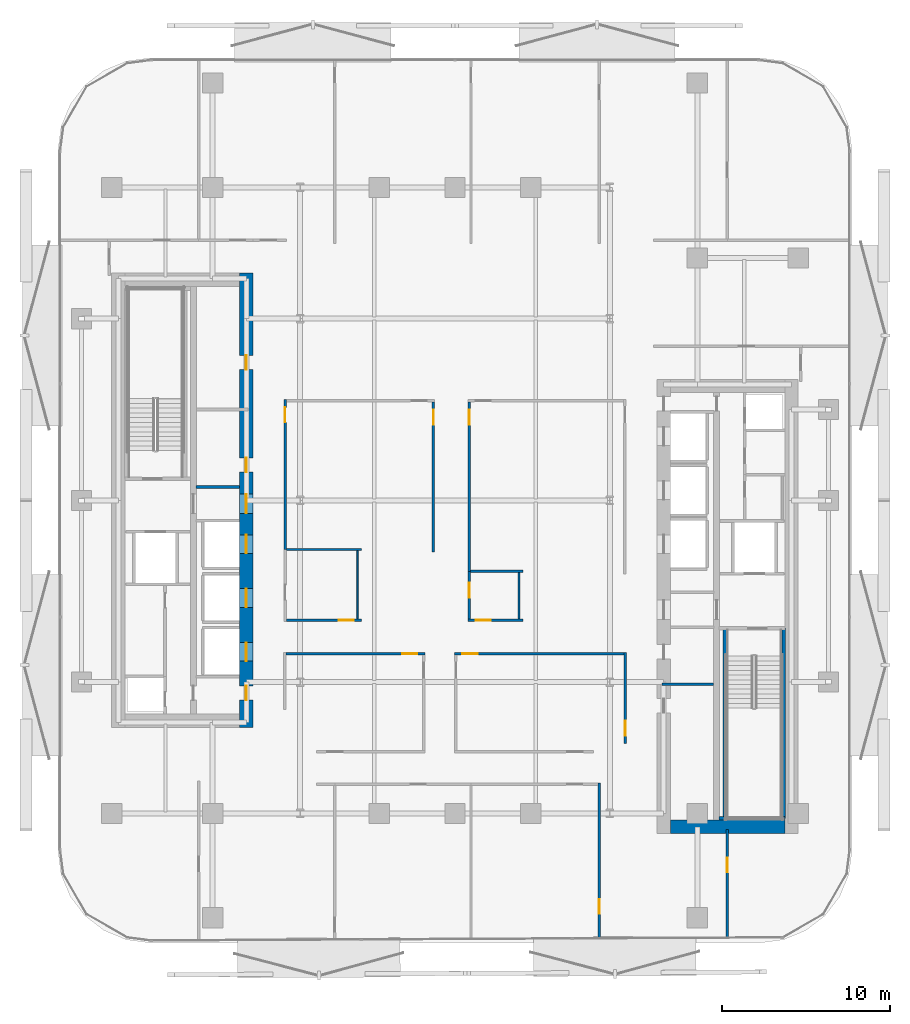
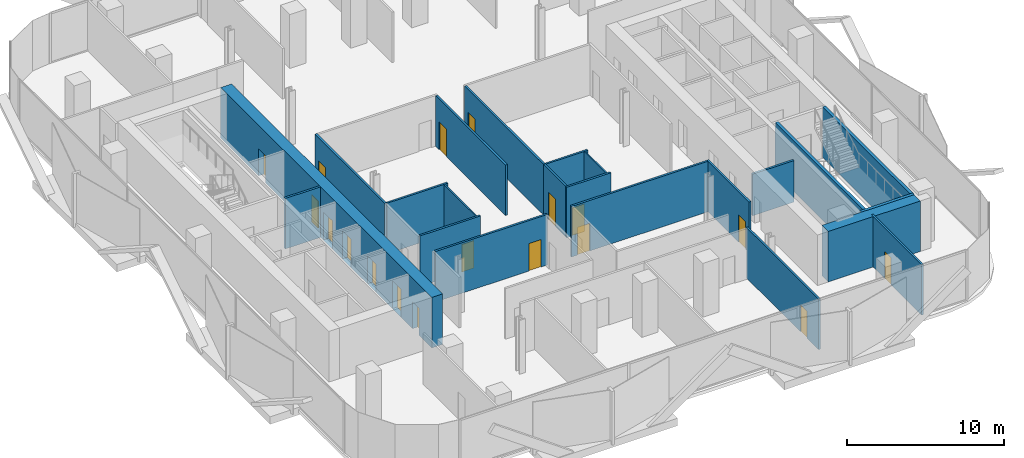
# One storey, part 4 of 16: 22 walls, 18 doors, 18 openings.
"""IFC4 building model written with IfcOpenShell, lengths in metres."""

from ifc_helpers import new_model, si_unit, direction, frame, frame_2d, origin, place, context, subcontext, project, spatial, rectangle, extrude, material, layer, layer_set, type_object, element, fill, save


model = new_model("IFC4")

# Units and contexts
model_context = context("Model", 3, precision=1e-05, world=origin(), true_north=direction((0.0, 1.0)))
body_context = subcontext(model_context, "Body", "Model", "MODEL_VIEW")
ifc_project = project(units=[si_unit("LENGTHUNIT", "METRE"), si_unit("AREAUNIT", "SQUARE_METRE"), si_unit("VOLUMEUNIT", "CUBIC_METRE"), si_unit("PLANEANGLEUNIT", "RADIAN"), si_unit("MASSUNIT", "GRAM", prefix="KILO")], contexts=[model_context])

# Site, building, storey
site_placement = place(None, origin())
site = spatial("IfcSite", under=ifc_project, at=site_placement, CompositionType="ELEMENT")
building_placement = place(site_placement, origin())
building = spatial("IfcBuilding", under=site, at=building_placement, Name="Khairoan Windgate Tower", CompositionType="ELEMENT")
storey_placement = place(building_placement, frame((0.0, 0.0, 139.39990234375)))
storey = spatial("IfcBuildingStorey", under=building, at=storey_placement, Name="L32", CompositionType="ELEMENT", Elevation=139.39990234375)

# Walls
ifc_material_1 = material(Name="Moisture-Resistant Gypsum Partition", Category="gypsum")
ifc_layer_1 = layer(ifc_material_1, 0.10009765625, Name="Moisture-Resistant Gypsum Partition")
ifc_layer_set_1 = layer_set([ifc_layer_1], Name="Moisture-Resistant Gypsum Partition")
wall_type_1 = type_object("IfcWallType", Name="Bathroom Wet-Area Partition Wall", PredefinedType="PARTITIONING", material=ifc_layer_set_1)
wall_1_placement = place(storey_placement, frame((3.800048828125, -4.2900390625, 0.0), z_axis=(0.0, 0.0, 1.0), x_axis=(0.0, -1.0, 0.0)))
element("IfcWall", 1, at=wall_1_placement, inside=storey, type_object=wall_type_1, Name="L32 Wet Room Side Wall 055", PredefinedType="PARTITIONING", context=body_context, shape_type="SweptSolid", body=[
    extrude(rectangle(XDim=2.7548828125, YDim=0.10009765625, at=frame_2d((1.37744140625, 0.0))), origin(), (0.0, 0.0, 1.0), 3.940185546875),
])
wall_2_placement = place(storey_placement, frame((-5.800048828125, -2.989990234375, 0.0), z_axis=(0.0, 0.0, 1.0), x_axis=(0.0, -1.0, 0.0)))
element("IfcWall", 2, at=wall_2_placement, inside=storey, type_object=wall_type_1, Name="L32 Wet Room Side Wall 056", PredefinedType="PARTITIONING", context=body_context, shape_type="SweptSolid", body=[
    extrude(rectangle(XDim=4.054931640625, YDim=0.10009765625, at=frame_2d((2.02734375, 0.0))), origin(), (0.0, 0.0, 1.0), 3.940185546875),
])
ifc_material_2 = material(Name="Concrete C40/50", Category="concrete")
ifc_layer_2 = layer(ifc_material_2, 0.159912109375, Name="Concrete C40/50")
ifc_layer_set_2 = layer_set([ifc_layer_2], Name="Concrete C40/50")
wall_type_2 = type_object("IfcWallType", Name="Core and Hoistway Enclosure Wall", PredefinedType="STANDARD", material=ifc_layer_set_2)
wall_3_placement = place(storey_placement, frame((-15.39990234375, 0.800048828125, 0.0), z_axis=(0.0, 0.0, 1.0), x_axis=(1.0, 0.0, 0.0)))
element("IfcWall", 3, at=wall_3_placement, inside=storey, type_object=wall_type_2, Name="L32 Core Shaft Wall SW-WV1-L32", PredefinedType="STANDARD", context=body_context, shape_type="SweptSolid", body=[
    extrude(rectangle(XDim=2.599853515625, YDim=0.159912109375, at=frame_2d((1.2998046875, 0.0))), origin(), (0.0, 0.0, 1.0), 3.940185546875),
])

# Wall, opening, door
ifc_material_3 = material(Name="Acoustic Fire-Rated Gypsum Partition", Category="gypsum")
ifc_layer_3 = layer(ifc_material_3, 0.139892578125, Name="Acoustic Fire-Rated Gypsum Partition")
ifc_layer_set_3 = layer_set([ifc_layer_3], Name="Acoustic Fire-Rated Gypsum Partition")
wall_type_3 = type_object("IfcWallType", Name="Inter-Tenancy Compartment Wall", PredefinedType="PARTITIONING", material=ifc_layer_set_3)
wall_4_placement = place(storey_placement, frame((8.568115234375, -26.024658203125, 0.0), z_axis=(0.0, 0.0, 1.0), x_axis=(0.0, 1.0, 0.0)))
wall_4 = element("IfcWall", 4, at=wall_4_placement, inside=storey, type_object=wall_type_3, Name="L32 Interior Partition 050", PredefinedType="PARTITIONING", context=body_context, shape_type="SweptSolid", body=[
    extrude(rectangle(XDim=9.23974609375, YDim=0.139892578125, at=frame_2d((4.619873046875, 0.0))), origin(), (0.0, 0.0, 1.0), 3.940185546875),
])
opening_1_placement = place(wall_4_placement, frame((1.469482421875, 0.0, 0.0)))
opening_1 = element("IfcOpeningElement", 5, at=opening_1_placement, cuts=wall_4, Name="Opening FD-SRV", PredefinedType="OPENING", context=body_context, shape_type="SweptSolid", body=[
    extrude(rectangle(XDim=0.85009765625, YDim=2.10009765625, at=frame_2d((0.425048828125, 1.050048828125))), frame((0.0, 0.079833984375, 0.0), z_axis=(0.0, -1.0, 0.0), x_axis=(1.0, 0.0, 0.0)), (0.0, 0.0, 1.0), 0.159912109375),
])
ifc_material_4 = material(Name="Steel S355", Category="steel")
door_type_1 = type_object("IfcDoorType", Name="Core Service and Riser Fire Door FD-SRV 850x2100", OperationType="NOTDEFINED", PredefinedType="DOOR", material=ifc_material_4)
door_1_placement = place(opening_1_placement, origin())
door_1 = element("IfcDoor", 6, at=door_1_placement, inside=storey, type_object=door_type_1, Name="L32 L32-49-L32-50 Door", OperationType="SINGLE_SWING_LEFT", OverallHeight=2.10009765625, OverallWidth=0.85009765625, PredefinedType="DOOR", context=body_context, shape_type="SweptSolid", body=[
    extrude(rectangle(XDim=0.85009765625, YDim=2.10009765625, at=frame_2d((0.425048828125, 1.050048828125))), frame((0.0, 0.02490234375, 0.0), z_axis=(0.0, -1.0, 0.0), x_axis=(1.0, 0.0, 0.0)), (0.0, 0.0, 1.0), 0.050048828125),
])
fill(opening_1, door_1)

wall_5_placement = place(storey_placement, frame((16.18408203125, -25.9873046875, 0.0), z_axis=(0.0, 0.0, 1.0), x_axis=(0.0, 1.0, 0.0)))
wall_5 = element("IfcWall", 7, at=wall_5_placement, inside=storey, type_object=wall_type_3, Name="L32 Interior Partition 051", PredefinedType="PARTITIONING", context=body_context, shape_type="SweptSolid", body=[
    extrude(rectangle(XDim=6.42724609375, YDim=0.139892578125, at=frame_2d((3.213623046875, 0.0))), origin(), (0.0, 0.0, 1.0), 3.940185546875),
])
opening_2_placement = place(wall_5_placement, frame((3.90234375, 0.0, 0.0)))
opening_2 = element("IfcOpeningElement", 8, at=opening_2_placement, cuts=wall_5, Name="Opening FD-SRV", PredefinedType="OPENING", context=body_context, shape_type="SweptSolid", body=[
    extrude(rectangle(XDim=0.85009765625, YDim=2.10009765625, at=frame_2d((0.425048828125, 1.050048828125))), frame((0.0, 0.079833984375, 0.0), z_axis=(0.0, -1.0, 0.0), x_axis=(1.0, 0.0, 0.0)), (0.0, 0.0, 1.0), 0.159912109375),
])
door_2_placement = place(opening_2_placement, origin())
door_2 = element("IfcDoor", 9, at=door_2_placement, inside=storey, type_object=door_type_1, Name="L32 L32-50-L32-51 Door", OperationType="SINGLE_SWING_LEFT", OverallHeight=2.10009765625, OverallWidth=0.85009765625, PredefinedType="DOOR", context=body_context, shape_type="SweptSolid", body=[
    extrude(rectangle(XDim=0.85009765625, YDim=2.10009765625, at=frame_2d((0.425048828125, 1.050048828125))), frame((0.0, 0.02490234375, 0.0), z_axis=(0.0, -1.0, 0.0), x_axis=(1.0, 0.0, 0.0)), (0.0, 0.0, 1.0), 0.050048828125),
])
fill(opening_2, door_2)

# Walls
wall_6_placement = place(storey_placement, frame((0.929931640625, -4.219970703125, 0.0), z_axis=(0.0, 0.0, 1.0), x_axis=(1.0, 0.0, 0.0)))
element("IfcWall", 10, at=wall_6_placement, inside=storey, type_object=wall_type_3, Name="L32 Interior Partition 052", PredefinedType="PARTITIONING", context=body_context, shape_type="SweptSolid", body=[
    extrude(rectangle(XDim=3.110107421875, YDim=0.139892578125, at=frame_2d((1.55517578125, 0.0))), origin(), (0.0, 0.0, 1.0), 3.940185546875),
])
wall_7_placement = place(storey_placement, frame((-10.02490234375, -2.919921875, 0.0), z_axis=(0.0, 0.0, 1.0), x_axis=(1.0, 0.0, 0.0)))
element("IfcWall", 11, at=wall_7_placement, inside=storey, type_object=wall_type_3, Name="L32 Interior Partition 053", PredefinedType="PARTITIONING", context=body_context, shape_type="SweptSolid", body=[
    extrude(rectangle(XDim=4.46484375, YDim=0.139892578125, at=frame_2d((2.232421875, 0.0))), origin(), (0.0, 0.0, 1.0), 3.940185546875),
])
ifc_material_5 = material(Name="Concrete C40/50", Category="concrete")
ifc_layer_4 = layer(ifc_material_5, 0.159912109375, Name="Concrete C40/50")
ifc_layer_set_4 = layer_set([ifc_layer_4], Name="Concrete C40/50")
wall_type_4 = type_object("IfcWallType", Name="Plant and Refuge Compartment Wall", PredefinedType="PARTITIONING", material=ifc_layer_set_4)
wall_8_placement = place(storey_placement, frame((12.31005859375, -10.919921875, 0.0), z_axis=(0.0, 0.0, 1.0), x_axis=(1.0, 0.0, 0.0)))
element("IfcWall", 12, at=wall_8_placement, inside=storey, type_object=wall_type_4, Name="L32 Interior Partition 010", PredefinedType="PARTITIONING", context=body_context, shape_type="SweptSolid", body=[
    extrude(rectangle(XDim=3.06494140625, YDim=0.159912109375, at=frame_2d((1.532470703125, 0.0))), origin(), (0.0, 0.0, 1.0), 3.239990234375),
])

# Wall, opening, door
ifc_material_6 = material(Name="Acoustic Fire-Rated Gypsum Partition", Category="gypsum")
ifc_layer_5 = layer(ifc_material_6, 0.14990234375, Name="Acoustic Fire-Rated Gypsum Partition")
ifc_layer_set_5 = layer_set([ifc_layer_5], Name="Acoustic Fire-Rated Gypsum Partition")
wall_type_5 = type_object("IfcWallType", Name="Rated Corridor Partition Wall", PredefinedType="PARTITIONING", material=ifc_layer_set_5)
wall_9_placement = place(storey_placement, frame((-10.10009765625, -2.919921875, 0.0), z_axis=(0.0, 0.0, 1.0), x_axis=(0.0, 1.0, 0.0)))
wall_9 = element("IfcWall", 13, at=wall_9_placement, inside=storey, type_object=wall_type_5, Name="L32 Interior Partition 013", PredefinedType="PARTITIONING", context=body_context, shape_type="SweptSolid", body=[
    extrude(rectangle(XDim=8.9150390625, YDim=0.14990234375, at=frame_2d((4.45751953125, 0.0))), origin(), (0.0, 0.0, 1.0), 3.940185546875),
])
opening_3_placement = place(wall_9_placement, frame((7.554931640625, 0.0, 0.0)))
opening_3 = element("IfcOpeningElement", 14, at=opening_3_placement, cuts=wall_9, Name="Opening FD-ENT", PredefinedType="OPENING", context=body_context, shape_type="SweptSolid", body=[
    extrude(rectangle(XDim=0.89990234375, YDim=2.14990234375, at=frame_2d((0.449951171875, 1.074951171875))), frame((0.0, 0.0849609375, 0.0), z_axis=(0.0, -1.0, 0.0), x_axis=(1.0, 0.0, 0.0)), (0.0, 0.0, 1.0), 0.169921875),
])
ifc_material_7 = material(Name="Timber Fire-Rated Core", Category="wood")
door_type_2 = type_object("IfcDoorType", Name="Unit and Office Fire Entrance Door FD-ENT 900x2150", OperationType="NOTDEFINED", PredefinedType="DOOR", material=ifc_material_7)
door_3_placement = place(opening_3_placement, origin())
door_3 = element("IfcDoor", 15, at=door_3_placement, inside=storey, type_object=door_type_2, Name="L32 L32-28-L32-55 Door", OperationType="SINGLE_SWING_RIGHT", OverallHeight=2.14990234375, OverallWidth=0.89990234375, PredefinedType="DOOR", context=body_context, shape_type="SweptSolid", body=[
    extrude(rectangle(XDim=0.89990234375, YDim=2.14990234375, at=frame_2d((0.449951171875, 1.074951171875))), frame((0.0, 0.02490234375, 0.0), z_axis=(0.0, -1.0, 0.0), x_axis=(1.0, 0.0, 0.0)), (0.0, 0.0, 1.0), 0.050048828125),
])
fill(opening_3, door_3)

wall_10_placement = place(storey_placement, frame((10.125, -14.43994140625, 0.0), z_axis=(0.0, 0.0, 1.0), x_axis=(0.0, 1.0, 0.0)))
wall_10 = element("IfcWall", 16, at=wall_10_placement, inside=storey, type_object=wall_type_5, Name="L32 Interior Partition 016", PredefinedType="PARTITIONING", context=body_context, shape_type="SweptSolid", body=[
    extrude(rectangle(XDim=5.39990234375, YDim=0.14990234375, at=frame_2d((2.699951171875, 0.0))), origin(), (0.0, 0.0, 1.0), 3.940185546875),
])
opening_4_placement = place(wall_10_placement, frame((0.4599609375, 0.0, 0.0)))
opening_4 = element("IfcOpeningElement", 17, at=opening_4_placement, cuts=wall_10, Name="Opening FD-ENT", PredefinedType="OPENING", context=body_context, shape_type="SweptSolid", body=[
    extrude(rectangle(XDim=0.89990234375, YDim=2.14990234375, at=frame_2d((0.449951171875, 1.074951171875))), frame((0.0, 0.0849609375, 0.0), z_axis=(0.0, -1.0, 0.0), x_axis=(1.0, 0.0, 0.0)), (0.0, 0.0, 1.0), 0.169921875),
])
door_4_placement = place(opening_4_placement, origin())
door_4 = element("IfcDoor", 18, at=door_4_placement, inside=storey, type_object=door_type_2, Name="L32 L32-29-L32-57 Door", OperationType="SINGLE_SWING_LEFT", OverallHeight=2.14990234375, OverallWidth=0.89990234375, PredefinedType="DOOR", context=body_context, shape_type="SweptSolid", body=[
    extrude(rectangle(XDim=0.89990234375, YDim=2.14990234375, at=frame_2d((0.449951171875, 1.074951171875))), frame((0.0, 0.02490234375, 0.0), z_axis=(0.0, -1.0, 0.0), x_axis=(1.0, 0.0, 0.0)), (0.0, 0.0, 1.0), 0.050048828125),
])
fill(opening_4, door_4)

wall_11_placement = place(storey_placement, frame((0.780029296875, -7.1201171875, 0.0), z_axis=(0.0, 0.0, 1.0), x_axis=(1.0, 0.0, 0.0)))
wall_11 = element("IfcWall", 19, at=wall_11_placement, inside=storey, type_object=wall_type_5, Name="L32 Interior Partition 019", PredefinedType="PARTITIONING", context=body_context, shape_type="SweptSolid", body=[
    extrude(rectangle(XDim=3.260009765625, YDim=0.14990234375, at=frame_2d((1.6298828125, 0.0))), origin(), (0.0, 0.0, 1.0), 3.940185546875),
])
opening_5_placement = place(wall_11_placement, frame((0.4599609375, 0.0, 0.0)))
opening_5 = element("IfcOpeningElement", 20, at=opening_5_placement, cuts=wall_11, Name="Opening FD-ENT", PredefinedType="OPENING", context=body_context, shape_type="SweptSolid", body=[
    extrude(rectangle(XDim=0.89990234375, YDim=2.14990234375, at=frame_2d((0.449951171875, 1.074951171875))), frame((0.0, 0.0849609375, 0.0), z_axis=(0.0, -1.0, 0.0), x_axis=(1.0, 0.0, 0.0)), (0.0, 0.0, 1.0), 0.169921875),
])
door_5_placement = place(opening_5_placement, origin())
door_5 = element("IfcDoor", 21, at=door_5_placement, inside=storey, type_object=door_type_2, Name="L32 L32-31-L32-52 Door", OperationType="SINGLE_SWING_RIGHT", OverallHeight=2.14990234375, OverallWidth=0.89990234375, PredefinedType="DOOR", context=body_context, shape_type="SweptSolid", body=[
    extrude(rectangle(XDim=0.89990234375, YDim=2.14990234375, at=frame_2d((0.449951171875, 1.074951171875))), frame((0.0, 0.02490234375, 0.0), z_axis=(0.0, -1.0, 0.0), x_axis=(1.0, 0.0, 0.0)), (0.0, 0.0, 1.0), 0.050048828125),
])
fill(opening_5, door_5)

wall_12_placement = place(storey_placement, frame((-10.02490234375, -7.1201171875, 0.0), z_axis=(0.0, 0.0, 1.0), x_axis=(1.0, 0.0, 0.0)))
wall_12 = element("IfcWall", 22, at=wall_12_placement, inside=storey, type_object=wall_type_5, Name="L32 Interior Partition 020", PredefinedType="PARTITIONING", context=body_context, shape_type="SweptSolid", body=[
    extrude(rectangle(XDim=4.46484375, YDim=0.14990234375, at=frame_2d((2.232421875, 0.0))), origin(), (0.0, 0.0, 1.0), 3.940185546875),
])
opening_6_placement = place(wall_12_placement, frame((3.10498046875, 0.0, 0.0)))
opening_6 = element("IfcOpeningElement", 23, at=opening_6_placement, cuts=wall_12, Name="Opening FD-ENT", PredefinedType="OPENING", context=body_context, shape_type="SweptSolid", body=[
    extrude(rectangle(XDim=0.89990234375, YDim=2.14990234375, at=frame_2d((0.449951171875, 1.074951171875))), frame((0.0, 0.0849609375, 0.0), z_axis=(0.0, -1.0, 0.0), x_axis=(1.0, 0.0, 0.0)), (0.0, 0.0, 1.0), 0.169921875),
])
door_6_placement = place(opening_6_placement, origin())
door_6 = element("IfcDoor", 24, at=door_6_placement, inside=storey, type_object=door_type_2, Name="L32 L32-31-L32-54 Door", OperationType="SINGLE_SWING_LEFT", OverallHeight=2.14990234375, OverallWidth=0.89990234375, PredefinedType="DOOR", context=body_context, shape_type="SweptSolid", body=[
    extrude(rectangle(XDim=0.89990234375, YDim=2.14990234375, at=frame_2d((0.449951171875, 1.074951171875))), frame((0.0, 0.02490234375, 0.0), z_axis=(0.0, -1.0, 0.0), x_axis=(1.0, 0.0, 0.0)), (0.0, 0.0, 1.0), 0.050048828125),
])
fill(opening_6, door_6)

wall_13_placement = place(storey_placement, frame((-10.050048828125, -9.114990234375, 0.0), z_axis=(0.0, 0.0, 1.0), x_axis=(1.0, 0.0, 0.0)))
wall_13 = element("IfcWall", 25, at=wall_13_placement, inside=storey, type_object=wall_type_5, Name="L32 Interior Partition 021", PredefinedType="PARTITIONING", context=body_context, shape_type="SweptSolid", body=[
    extrude(rectangle(XDim=8.26513671875, YDim=0.14990234375, at=frame_2d((4.132568359375, 0.0))), origin(), (0.0, 0.0, 1.0), 3.940185546875),
])
opening_7_placement = place(wall_13_placement, frame((6.905029296875, 0.0, 0.0)))
opening_7 = element("IfcOpeningElement", 26, at=opening_7_placement, cuts=wall_13, Name="Opening FD-ENT", PredefinedType="OPENING", context=body_context, shape_type="SweptSolid", body=[
    extrude(rectangle(XDim=0.89990234375, YDim=2.14990234375, at=frame_2d((0.449951171875, 1.074951171875))), frame((0.0, 0.0849609375, 0.0), z_axis=(0.0, -1.0, 0.0), x_axis=(1.0, 0.0, 0.0)), (0.0, 0.0, 1.0), 0.169921875),
])
door_7_placement = place(opening_7_placement, origin())
door_7 = element("IfcDoor", 27, at=door_7_placement, inside=storey, type_object=door_type_2, Name="L32 L32-31-L32-56 Door", OperationType="SINGLE_SWING_RIGHT", OverallHeight=2.14990234375, OverallWidth=0.89990234375, PredefinedType="DOOR", context=body_context, shape_type="SweptSolid", body=[
    extrude(rectangle(XDim=0.89990234375, YDim=2.14990234375, at=frame_2d((0.449951171875, 1.074951171875))), frame((0.0, 0.02490234375, 0.0), z_axis=(0.0, -1.0, 0.0), x_axis=(1.0, 0.0, 0.0)), (0.0, 0.0, 1.0), 0.050048828125),
])
fill(opening_7, door_7)

wall_14_placement = place(storey_placement, frame((-0.014892578125, -9.114990234375, 0.0), z_axis=(0.0, 0.0, 1.0), x_axis=(1.0, 0.0, 0.0)))
wall_14 = element("IfcWall", 28, at=wall_14_placement, inside=storey, type_object=wall_type_5, Name="L32 Interior Partition 022", PredefinedType="PARTITIONING", context=body_context, shape_type="SweptSolid", body=[
    extrude(rectangle(XDim=10.06494140625, YDim=0.14990234375, at=frame_2d((5.032470703125, 0.0))), origin(), (0.0, 0.0, 1.0), 3.940185546875),
])
opening_8_placement = place(wall_14_placement, frame((0.4599609375, 0.0, 0.0)))
opening_8 = element("IfcOpeningElement", 29, at=opening_8_placement, cuts=wall_14, Name="Opening FD-ENT", PredefinedType="OPENING", context=body_context, shape_type="SweptSolid", body=[
    extrude(rectangle(XDim=0.89990234375, YDim=2.14990234375, at=frame_2d((0.449951171875, 1.074951171875))), frame((0.0, 0.0849609375, 0.0), z_axis=(0.0, -1.0, 0.0), x_axis=(1.0, 0.0, 0.0)), (0.0, 0.0, 1.0), 0.169921875),
])
door_8_placement = place(opening_8_placement, origin())
door_8 = element("IfcDoor", 30, at=door_8_placement, inside=storey, type_object=door_type_2, Name="L32 L32-31-L32-57 Door", OperationType="SINGLE_SWING_LEFT", OverallHeight=2.14990234375, OverallWidth=0.89990234375, PredefinedType="DOOR", context=body_context, shape_type="SweptSolid", body=[
    extrude(rectangle(XDim=0.89990234375, YDim=2.14990234375, at=frame_2d((0.449951171875, 1.074951171875))), frame((0.0, 0.02490234375, 0.0), z_axis=(0.0, -1.0, 0.0), x_axis=(1.0, 0.0, 0.0)), (0.0, 0.0, 1.0), 0.050048828125),
])
fill(opening_8, door_8)

wall_15_placement = place(storey_placement, frame((0.85498046875, -7.044921875, 0.0), z_axis=(0.0, 0.0, 1.0), x_axis=(0.0, 1.0, 0.0)))
wall_15 = element("IfcWall", 31, at=wall_15_placement, inside=storey, type_object=wall_type_5, Name="L32 Interior Partition 023", PredefinedType="PARTITIONING", context=body_context, shape_type="SweptSolid", body=[
    extrude(rectangle(XDim=2.824951171875, YDim=0.14990234375, at=frame_2d((1.41259765625, 0.0))), origin(), (0.0, 0.0, 1.0), 3.940185546875),
])
opening_9_placement = place(wall_15_placement, frame((1.263916015625, 0.0, 0.0)))
opening_9 = element("IfcOpeningElement", 32, at=opening_9_placement, cuts=wall_15, Name="Opening FD-ENT", PredefinedType="OPENING", context=body_context, shape_type="SweptSolid", body=[
    extrude(rectangle(XDim=0.89990234375, YDim=2.14990234375, at=frame_2d((0.449951171875, 1.074951171875))), frame((0.0, 0.0849609375, 0.0), z_axis=(0.0, -1.0, 0.0), x_axis=(1.0, 0.0, 0.0)), (0.0, 0.0, 1.0), 0.169921875),
])
door_9_placement = place(opening_9_placement, origin())
door_9 = element("IfcDoor", 33, at=door_9_placement, inside=storey, type_object=door_type_2, Name="L32 L32-32-L32-52 Door", OperationType="SINGLE_SWING_RIGHT", OverallHeight=2.14990234375, OverallWidth=0.89990234375, PredefinedType="DOOR", context=body_context, shape_type="SweptSolid", body=[
    extrude(rectangle(XDim=0.89990234375, YDim=2.14990234375, at=frame_2d((0.449951171875, 1.074951171875))), frame((0.0, 0.02490234375, 0.0), z_axis=(0.0, -1.0, 0.0), x_axis=(1.0, 0.0, 0.0)), (0.0, 0.0, 1.0), 0.050048828125),
])
fill(opening_9, door_9)

wall_16_placement = place(storey_placement, frame((0.85498046875, -4.219970703125, 0.0), z_axis=(0.0, 0.0, 1.0), x_axis=(0.0, 1.0, 0.0)))
wall_16 = element("IfcWall", 34, at=wall_16_placement, inside=storey, type_object=wall_type_5, Name="L32 Interior Partition 024", PredefinedType="PARTITIONING", context=body_context, shape_type="SweptSolid", body=[
    extrude(rectangle(XDim=10.06494140625, YDim=0.14990234375, at=frame_2d((5.032470703125, 0.0))), origin(), (0.0, 0.0, 1.0), 3.940185546875),
])
opening_10_placement = place(wall_16_placement, frame((8.705078125, 0.0, 0.0)))
opening_10 = element("IfcOpeningElement", 35, at=opening_10_placement, cuts=wall_16, Name="Opening FD-ENT", PredefinedType="OPENING", context=body_context, shape_type="SweptSolid", body=[
    extrude(rectangle(XDim=0.89990234375, YDim=2.14990234375, at=frame_2d((0.449951171875, 1.074951171875))), frame((0.0, 0.0849609375, 0.0), z_axis=(0.0, -1.0, 0.0), x_axis=(1.0, 0.0, 0.0)), (0.0, 0.0, 1.0), 0.169921875),
])
door_10_placement = place(opening_10_placement, origin())
door_10 = element("IfcDoor", 36, at=door_10_placement, inside=storey, type_object=door_type_2, Name="L32 L32-32-L32-53 Door", OperationType="SINGLE_SWING_LEFT", OverallHeight=2.14990234375, OverallWidth=0.89990234375, PredefinedType="DOOR", context=body_context, shape_type="SweptSolid", body=[
    extrude(rectangle(XDim=0.89990234375, YDim=2.14990234375, at=frame_2d((0.449951171875, 1.074951171875))), frame((0.0, 0.02490234375, 0.0), z_axis=(0.0, -1.0, 0.0), x_axis=(1.0, 0.0, 0.0)), (0.0, 0.0, 1.0), 0.050048828125),
])
fill(opening_10, door_10)

wall_17_placement = place(storey_placement, frame((-1.280029296875, -3.080078125, 0.0), z_axis=(0.0, 0.0, 1.0), x_axis=(0.0, 1.0, 0.0)))
wall_17 = element("IfcWall", 37, at=wall_17_placement, inside=storey, type_object=wall_type_5, Name="L32 Interior Partition 025", PredefinedType="PARTITIONING", context=body_context, shape_type="SweptSolid", body=[
    extrude(rectangle(XDim=8.925048828125, YDim=0.14990234375, at=frame_2d((4.46240234375, 0.0))), origin(), (0.0, 0.0, 1.0), 3.940185546875),
])
opening_11_placement = place(wall_17_placement, frame((7.56494140625, 0.0, 0.0)))
opening_11 = element("IfcOpeningElement", 38, at=opening_11_placement, cuts=wall_17, Name="Opening FD-ENT", PredefinedType="OPENING", context=body_context, shape_type="SweptSolid", body=[
    extrude(rectangle(XDim=0.89990234375, YDim=2.14990234375, at=frame_2d((0.449951171875, 1.074951171875))), frame((0.0, 0.0849609375, 0.0), z_axis=(0.0, -1.0, 0.0), x_axis=(1.0, 0.0, 0.0)), (0.0, 0.0, 1.0), 0.169921875),
])
door_11_placement = place(opening_11_placement, origin())
door_11 = element("IfcDoor", 39, at=door_11_placement, inside=storey, type_object=door_type_2, Name="L32 L32-32-L32-55 Door", OperationType="SINGLE_SWING_RIGHT", OverallHeight=2.14990234375, OverallWidth=0.89990234375, PredefinedType="DOOR", context=body_context, shape_type="SweptSolid", body=[
    extrude(rectangle(XDim=0.89990234375, YDim=2.14990234375, at=frame_2d((0.449951171875, 1.074951171875))), frame((0.0, 0.02490234375, 0.0), z_axis=(0.0, -1.0, 0.0), x_axis=(1.0, 0.0, 0.0)), (0.0, 0.0, 1.0), 0.050048828125),
])
fill(opening_11, door_11)

# Wall
ifc_material_8 = material(Name="Concrete C70/85", Category="concrete")
ifc_layer_6 = layer(ifc_material_8, 0.800048828125, Name="Concrete C70/85")
ifc_layer_set_6 = layer_set([ifc_layer_6], Name="Concrete C70/85")
wall_type_6 = type_object("IfcWallType", Name="Shear Wall CW-E1 800mm", PredefinedType="SHEAR", material=ifc_layer_set_6)
wall_18_placement = place(storey_placement, frame((12.800048828125, -19.39990234375, 0.0), z_axis=(0.0, 0.0, 1.0), x_axis=(1.0, 0.0, 0.0)))
element("IfcWall", 40, at=wall_18_placement, inside=storey, type_object=wall_type_6, Name="E Core South Shear Wall L32", PredefinedType="SHEAR", context=body_context, shape_type="SweptSolid", body=[
    extrude(rectangle(XDim=6.800048828125, YDim=0.800048828125, at=frame_2d((3.39990234375, 0.0))), origin(), (0.0, 0.0, 1.0), 3.940185546875),
])

# Wall, openings, doors
ifc_material_9 = material(Name="Concrete C70/85", Category="concrete")
ifc_layer_7 = layer(ifc_material_9, 0.800048828125, Name="Concrete C70/85")
ifc_layer_set_7 = layer_set([ifc_layer_7], Name="Concrete C70/85")
wall_type_7 = type_object("IfcWallType", Name="Shear Wall CW-W1 800mm", PredefinedType="SHEAR", material=ifc_layer_set_7)
wall_19_placement = place(storey_placement, frame((-12.39990234375, -13.5, 0.0), z_axis=(0.0, 0.0, 1.0), x_axis=(0.0, 1.0, 0.0)))
wall_19 = element("IfcWall", 41, at=wall_19_placement, inside=storey, type_object=wall_type_7, Name="W Core East Shear Wall L32", PredefinedType="SHEAR", context=body_context, shape_type="SweptSolid", body=[
    extrude(rectangle(XDim=27.0, YDim=0.800048828125, at=frame_2d((13.5, 0.0))), origin(), (0.0, 0.0, 1.0), 3.940185546875),
])
opening_12_placement = place(wall_19_placement, frame((10.35009765625, 0.0, 0.0)))
opening_12 = element("IfcOpeningElement", 42, at=opening_12_placement, cuts=wall_19, Name="Opening LD-PL", PredefinedType="OPENING", context=body_context, shape_type="SweptSolid", body=[
    extrude(rectangle(XDim=1.10009765625, YDim=2.199951171875, at=frame_2d((0.550048828125, 1.10009765625))), frame((0.0, 0.409912109375, 0.0), z_axis=(0.0, -1.0, 0.0), x_axis=(1.0, 0.0, 0.0)), (0.0, 0.0, 1.0), 0.820068359375),
])
opening_13_placement = place(wall_19_placement, frame((7.14990234375, 0.0, 0.0)))
opening_13 = element("IfcOpeningElement", 43, at=opening_13_placement, cuts=wall_19, Name="Opening LD-PL", PredefinedType="OPENING", context=body_context, shape_type="SweptSolid", body=[
    extrude(rectangle(XDim=1.10009765625, YDim=2.199951171875, at=frame_2d((0.550048828125, 1.10009765625))), frame((0.0, 0.409912109375, 0.0), z_axis=(0.0, -1.0, 0.0), x_axis=(1.0, 0.0, 0.0)), (0.0, 0.0, 1.0), 0.820068359375),
])
opening_14_placement = place(wall_19_placement, frame((3.949951171875, 0.0, 0.0)))
opening_14 = element("IfcOpeningElement", 44, at=opening_14_placement, cuts=wall_19, Name="Opening LD-PL", PredefinedType="OPENING", context=body_context, shape_type="SweptSolid", body=[
    extrude(rectangle(XDim=1.10009765625, YDim=2.199951171875, at=frame_2d((0.550048828125, 1.10009765625))), frame((0.0, 0.409912109375, 0.0), z_axis=(0.0, -1.0, 0.0), x_axis=(1.0, 0.0, 0.0)), (0.0, 0.0, 1.0), 0.820068359375),
])
opening_15_placement = place(wall_19_placement, frame((15.175048828125, 0.0, 0.0)))
opening_15 = element("IfcOpeningElement", 45, at=opening_15_placement, cuts=wall_19, Name="Opening FD-SRV", PredefinedType="OPENING", context=body_context, shape_type="SweptSolid", body=[
    extrude(rectangle(XDim=0.85009765625, YDim=2.10009765625, at=frame_2d((0.425048828125, 1.050048828125))), frame((0.0, 0.409912109375, 0.0), z_axis=(0.0, -1.0, 0.0), x_axis=(1.0, 0.0, 0.0)), (0.0, 0.0, 1.0), 0.820068359375),
])
opening_16_placement = place(wall_19_placement, frame((21.27490234375, 0.0, 0.0)))
opening_16 = element("IfcOpeningElement", 46, at=opening_16_placement, cuts=wall_19, Name="Opening FD-SRV", PredefinedType="OPENING", context=body_context, shape_type="SweptSolid", body=[
    extrude(rectangle(XDim=0.85009765625, YDim=2.10009765625, at=frame_2d((0.425048828125, 1.050048828125))), frame((0.0, 0.409912109375, 0.0), z_axis=(0.0, -1.0, 0.0), x_axis=(1.0, 0.0, 0.0)), (0.0, 0.0, 1.0), 0.820068359375),
])
opening_17_placement = place(wall_19_placement, frame((12.72509765625, 0.0, 0.0)))
opening_17 = element("IfcOpeningElement", 47, at=opening_17_placement, cuts=wall_19, Name="Opening FD-FFL", PredefinedType="OPENING", context=body_context, shape_type="SweptSolid", body=[
    extrude(rectangle(XDim=1.14990234375, YDim=2.199951171875, at=frame_2d((0.574951171875, 1.10009765625))), frame((0.0, 0.409912109375, 0.0), z_axis=(0.0, -1.0, 0.0), x_axis=(1.0, 0.0, 0.0)), (0.0, 0.0, 1.0), 0.820068359375),
])
opening_18_placement = place(wall_19_placement, frame((1.625, 0.0, 0.0)))
opening_18 = element("IfcOpeningElement", 48, at=opening_18_placement, cuts=wall_19, Name="Opening FD-SRV", PredefinedType="OPENING", context=body_context, shape_type="SweptSolid", body=[
    extrude(rectangle(XDim=0.85009765625, YDim=2.10009765625, at=frame_2d((0.425048828125, 1.050048828125))), frame((0.0, 0.409912109375, 0.0), z_axis=(0.0, -1.0, 0.0), x_axis=(1.0, 0.0, 0.0)), (0.0, 0.0, 1.0), 0.820068359375),
])
door_12_placement = place(opening_15_placement, origin())
door_12 = element("IfcDoor", 49, at=door_12_placement, inside=storey, type_object=door_type_1, Name="L32 Upper Core Room Door B1-1", OperationType="SINGLE_SWING_LEFT", OverallHeight=2.10009765625, OverallWidth=0.85009765625, PredefinedType="DOOR", context=body_context, shape_type="SweptSolid", body=[
    extrude(rectangle(XDim=0.85009765625, YDim=2.10009765625, at=frame_2d((0.425048828125, 1.050048828125))), frame((0.0, 0.02490234375, 0.0), z_axis=(0.0, -1.0, 0.0), x_axis=(1.0, 0.0, 0.0)), (0.0, 0.0, 1.0), 0.050048828125),
])
fill(opening_15, door_12)
door_13_placement = place(opening_16_placement, origin())
door_13 = element("IfcDoor", 50, at=door_13_placement, inside=storey, type_object=door_type_1, Name="L32 Upper Core Room Door B1-2", OperationType="SINGLE_SWING_RIGHT", OverallHeight=2.10009765625, OverallWidth=0.85009765625, PredefinedType="DOOR", context=body_context, shape_type="SweptSolid", body=[
    extrude(rectangle(XDim=0.85009765625, YDim=2.10009765625, at=frame_2d((0.425048828125, 1.050048828125))), frame((0.0, 0.02490234375, 0.0), z_axis=(0.0, -1.0, 0.0), x_axis=(1.0, 0.0, 0.0)), (0.0, 0.0, 1.0), 0.050048828125),
])
fill(opening_16, door_13)
door_14_placement = place(opening_18_placement, origin())
door_14 = element("IfcDoor", 51, at=door_14_placement, inside=storey, type_object=door_type_1, Name="L32 West Core Service Vestibule Outer Door", OperationType="SINGLE_SWING_LEFT", OverallHeight=2.10009765625, OverallWidth=0.85009765625, PredefinedType="DOOR", context=body_context, shape_type="SweptSolid", body=[
    extrude(rectangle(XDim=0.85009765625, YDim=2.10009765625, at=frame_2d((0.425048828125, 1.050048828125))), frame((0.0, 0.02490234375, 0.0), z_axis=(0.0, -1.0, 0.0), x_axis=(1.0, 0.0, 0.0)), (0.0, 0.0, 1.0), 0.050048828125),
])
fill(opening_18, door_14)
ifc_material_10 = material(Name="Steel S355", Category="steel")
door_type_3 = type_object("IfcDoorType", Name="Firefighting Lobby Fire Door FD-FFL 1150x2200", OperationType="NOTDEFINED", PredefinedType="DOOR", material=ifc_material_10)
door_15_placement = place(opening_17_placement, origin())
door_15 = element("IfcDoor", 52, at=door_15_placement, inside=storey, type_object=door_type_3, Name="L32 West Core Vestibule Entry Door", OperationType="SINGLE_SWING_LEFT", OverallHeight=2.199951171875, OverallWidth=1.14990234375, PredefinedType="DOOR", context=body_context, shape_type="SweptSolid", body=[
    extrude(rectangle(XDim=1.14990234375, YDim=2.199951171875, at=frame_2d((0.574951171875, 1.10009765625))), frame((0.0, 0.02490234375, 0.0), z_axis=(0.0, -1.0, 0.0), x_axis=(1.0, 0.0, 0.0)), (0.0, 0.0, 1.0), 0.050048828125),
])
fill(opening_17, door_15)
ifc_material_11 = material(Name="Anodised Bronze Aluminium 6063-T6", Category="aluminium")
door_type_4 = type_object("IfcDoorType", Name="Passenger Lift Sliding Landing Door LD-PL 1100x2200", OperationType="DOUBLE_DOOR_SLIDING", PredefinedType="DOOR", material=ifc_material_11)
door_16_placement = place(opening_12_placement, origin())
door_16 = element("IfcDoor", 53, at=door_16_placement, inside=storey, type_object=door_type_4, Name="L32 Lift PL4 Sliding Landing Door", OperationType="DOUBLE_DOOR_SLIDING", OverallHeight=2.199951171875, OverallWidth=1.10009765625, PredefinedType="DOOR", context=body_context, shape_type="SweptSolid", body=[
    extrude(rectangle(XDim=1.10009765625, YDim=2.199951171875, at=frame_2d((0.550048828125, 1.10009765625))), frame((0.0, 0.02490234375, 0.0), z_axis=(0.0, -1.0, 0.0), x_axis=(1.0, 0.0, 0.0)), (0.0, 0.0, 1.0), 0.050048828125),
])
fill(opening_12, door_16)
door_17_placement = place(opening_13_placement, origin())
door_17 = element("IfcDoor", 54, at=door_17_placement, inside=storey, type_object=door_type_4, Name="L32 Lift PL5 Sliding Landing Door", OperationType="DOUBLE_DOOR_SLIDING", OverallHeight=2.199951171875, OverallWidth=1.10009765625, PredefinedType="DOOR", context=body_context, shape_type="SweptSolid", body=[
    extrude(rectangle(XDim=1.10009765625, YDim=2.199951171875, at=frame_2d((0.550048828125, 1.10009765625))), frame((0.0, 0.02490234375, 0.0), z_axis=(0.0, -1.0, 0.0), x_axis=(1.0, 0.0, 0.0)), (0.0, 0.0, 1.0), 0.050048828125),
])
fill(opening_13, door_17)
door_18_placement = place(opening_14_placement, origin())
door_18 = element("IfcDoor", 55, at=door_18_placement, inside=storey, type_object=door_type_4, Name="L32 Lift PL6 Sliding Landing Door", OperationType="DOUBLE_DOOR_SLIDING", OverallHeight=2.199951171875, OverallWidth=1.10009765625, PredefinedType="DOOR", context=body_context, shape_type="SweptSolid", body=[
    extrude(rectangle(XDim=1.10009765625, YDim=2.199951171875, at=frame_2d((0.550048828125, 1.10009765625))), frame((0.0, 0.02490234375, 0.0), z_axis=(0.0, -1.0, 0.0), x_axis=(1.0, 0.0, 0.0)), (0.0, 0.0, 1.0), 0.050048828125),
])
fill(opening_14, door_18)

# Walls
ifc_material_12 = material(Name="Concrete C50/60", Category="concrete")
ifc_layer_8 = layer(ifc_material_12, 0.219970703125, Name="Concrete C50/60")
ifc_layer_set_8 = layer_set([ifc_layer_8], Name="Concrete C50/60")
wall_type_8 = type_object("IfcWallType", Name="Shear Wall SW-ST 220mm", PredefinedType="SHEAR", material=ifc_layer_set_8)
for number, where, z_axis, x_axis, name in (
    (56, (16.0400390625, -18.889892578125, 0.0), (0.0, 0.0, 1.0), (0.0, 1.0, 0.0), "L32 Stair ST1 West Bearing Wall"),
    (57, (19.530029296875, -18.889892578125, 0.0), (0.0, 0.0, 1.0), (0.0, 1.0, 0.0), "L32 Stair ST1 East Bearing Wall"),
):
    element("IfcWall", number, at=place(storey_placement, frame(where, z_axis=z_axis, x_axis=x_axis)), inside=storey, type_object=wall_type_8, Name=name, PredefinedType="SHEAR", context=body_context, shape_type="SweptSolid", body=[
        extrude(rectangle(XDim=11.2998046875, YDim=0.219970703125, at=frame_2d((5.64990234375, 0.0))), origin(), (0.0, 0.0, 1.0), 3.940185546875),
    ])
wall_20_placement = place(storey_placement, frame((15.705078125, -18.889892578125, 0.0), z_axis=(0.0, 0.0, 1.0), x_axis=(1.0, 0.0, 0.0)))
element("IfcWall", 58, at=wall_20_placement, inside=storey, type_object=wall_type_8, Name="L32 Stair ST1 South Bearing Wall", PredefinedType="SHEAR", context=body_context, shape_type="SweptSolid", body=[
    extrude(rectangle(XDim=3.9150390625, YDim=0.219970703125, at=frame_2d((1.95751953125, 0.0))), origin(), (0.0, 0.0, 1.0), 3.940185546875),
])

save(model, "model.ifc")
